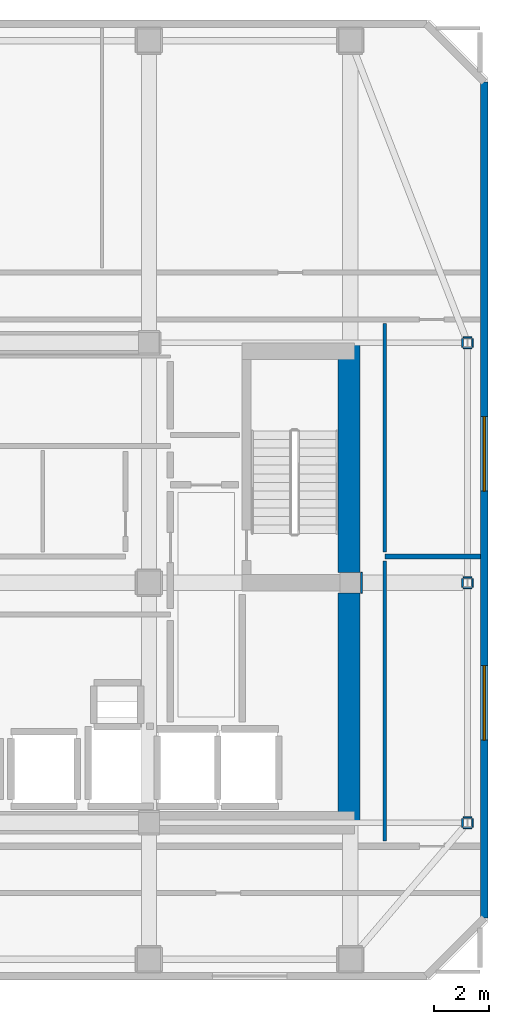
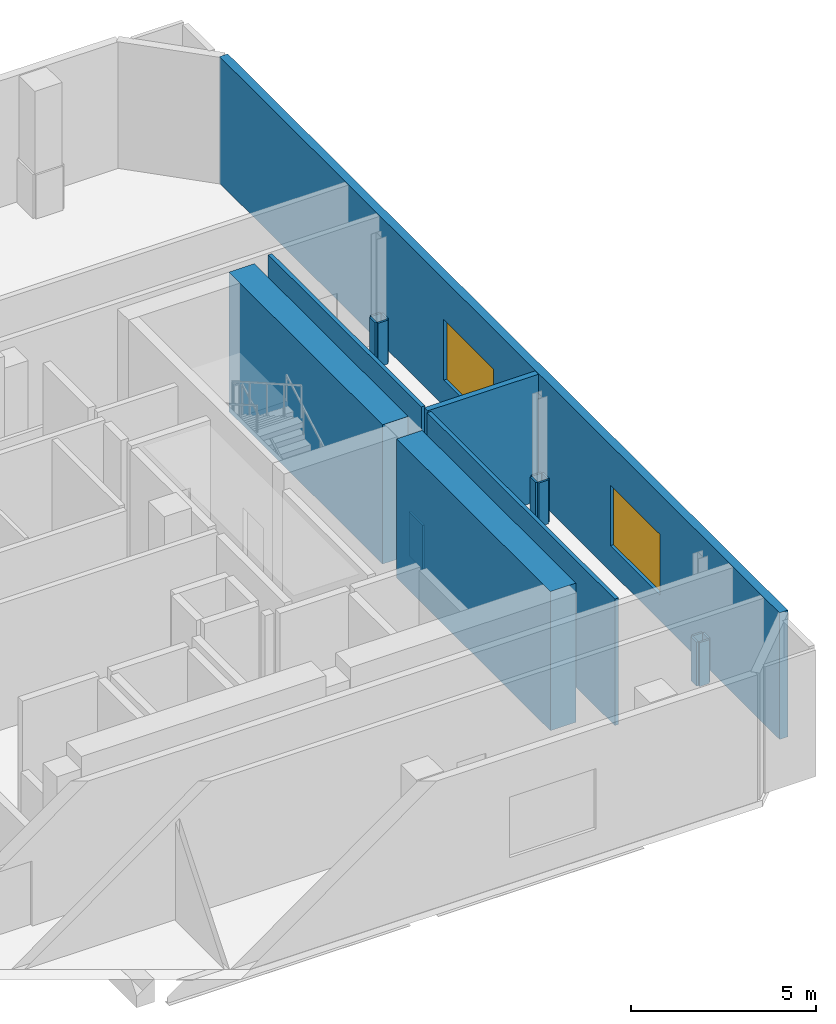
# One storey, part 7 of 9: 19 walls, 2 windows, 2 openings.
"""IFC4 building model written with IfcOpenShell, lengths in metres."""

import ifcopenshell
import ifcopenshell.guid

model = None  # the IFC model being written
_history = None  # IfcOwnerHistory: only IFC2X3 demands one
_inside = {}  # id of a spatial element -> (the spatial element, [elements in it])
_under = {}  # id of a project, library or spatial element -> (it, [spatial elements below it])
_declared = {}  # id of a project -> (the project, [libraries it declares])
_typed = {}  # id of a type object -> (the type object, [elements of that type])
_made_of = {}  # id of a material, layer set ... -> (it, [elements and type objects made of it])


def new_model(schema):
    """Start an empty IFC model of exactly this schema.

    Asked for "IFC4X3", IfcOpenShell would pick the latest addendum, in which some entities
    have other attributes; the version numbers below select the first issue.
    IFC2X3 requires an IfcOwnerHistory on every rooted entity: one is made here for all.
    """
    global model, _history
    if schema == "IFC4X3":
        model = ifcopenshell.file(schema_version=(4, 3, 0, 0))
    else:
        model = ifcopenshell.file(schema=schema)
    _inside.clear()
    _under.clear()
    _declared.clear()
    _typed.clear()
    _made_of.clear()
    _history = None
    if model.schema == "IFC2X3":
        org = make("IfcOrganization", Name="unknown")
        user = make(
            "IfcPersonAndOrganization",
            ThePerson=make("IfcPerson", FamilyName="unknown"),
            TheOrganization=org,
        )
        app = make(
            "IfcApplication",
            ApplicationDeveloper=org,
            Version="unknown",
            ApplicationFullName="unknown",
            ApplicationIdentifier="unknown",
        )
        _history = make(
            "IfcOwnerHistory",
            OwningUser=user,
            OwningApplication=app,
            ChangeAction="ADDED",
            CreationDate=0,
        )
    return model


def make(cls, **values):
    """One entity of the class cls with the attributes given. An attribute that is None is left unset."""
    return model.create_entity(
        cls, **{name: value for name, value in values.items() if value is not None}
    )


def rooted(cls, **values):
    """An entity with a GlobalId (a new one), such as an element, a storey or a relation."""
    return make(cls, GlobalId=ifcopenshell.guid.new(), OwnerHistory=_history, **values)


def si_unit(unit_type, name, prefix=None):
    """IfcSIUnit, for example si_unit("LENGTHUNIT", "METRE", prefix="MILLI")."""
    return make("IfcSIUnit", UnitType=unit_type, Prefix=prefix, Name=name)


def assignment(units):
    """IfcUnitAssignment: the units of a project."""
    return None if units is None else make("IfcUnitAssignment", Units=units)


def point(xyz):
    """IfcCartesianPoint."""
    return None if xyz is None else make("IfcCartesianPoint", Coordinates=xyz)


def direction(xyz):
    """IfcDirection."""
    return None if xyz is None else make("IfcDirection", DirectionRatios=xyz)


def frame(location, z_axis=None, x_axis=None):
    """IfcAxis2Placement3D, a coordinate frame: its origin and axes. An axis left out is left unset."""
    return make(
        "IfcAxis2Placement3D",
        Location=point(location),
        Axis=direction(z_axis),
        RefDirection=direction(x_axis),
    )


def frame_2d(location, x_axis=None):
    """IfcAxis2Placement2D, a coordinate frame in the plane: its origin and x axis."""
    return make(
        "IfcAxis2Placement2D", Location=point(location), RefDirection=direction(x_axis)
    )


def origin():
    """The frame at (0, 0, 0) with its axes left unset."""
    return frame((0.0, 0.0, 0.0))


def place(relative_to, where):
    """IfcLocalPlacement: puts the frame where relative to a parent placement (None: the world)."""
    return make(
        "IfcLocalPlacement", PlacementRelTo=relative_to, RelativePlacement=where
    )


def context(
    kind, dimensions, precision=None, world=None, true_north=None, identifier=None
):
    """IfcGeometricRepresentationContext, for example the 3D "Model" context."""
    return make(
        "IfcGeometricRepresentationContext",
        ContextIdentifier=identifier,
        ContextType=kind,
        CoordinateSpaceDimension=dimensions,
        Precision=precision,
        WorldCoordinateSystem=world,
        TrueNorth=true_north,
    )


def subcontext(parent, identifier, kind, view, scale=None):
    """IfcGeometricRepresentationSubContext, for example "Body" below "Model"."""
    return make(
        "IfcGeometricRepresentationSubContext",
        ContextIdentifier=identifier,
        ContextType=kind,
        ParentContext=parent,
        TargetScale=scale,
        TargetView=view,
    )


def project(units=None, contexts=None):
    """IfcProject with its units and contexts."""
    return rooted(
        "IfcProject",
        Name="project",
        RepresentationContexts=contexts,
        UnitsInContext=assignment(units),
    )


def spatial(cls, under=None, at=None, **own):
    """A site, building, storey or space (cls), placed at a placement, below another one or the project."""
    s = rooted(cls, ObjectPlacement=at, **own)
    if under is not None:
        _under.setdefault(under.id(), (under, []))[1].append(s)
    return s


def profile(cls, at=None, kind="AREA", **sizes):
    """A parametric profile (cls). Its sizes go by their IFC names, for example OverallWidth=200.0."""
    return make(cls, ProfileType=kind, Position=at, **sizes)


def rectangle(**sizes):
    """IfcRectangleProfileDef."""
    return profile("IfcRectangleProfileDef", **sizes)


def extrude(swept, where, along, depth):
    """IfcExtrudedAreaSolid: the profile swept, set in the frame where, extruded along a direction by depth."""
    return make(
        "IfcExtrudedAreaSolid",
        SweptArea=swept,
        Position=where,
        ExtrudedDirection=direction(along),
        Depth=depth,
    )


def shape(context_of_items, identifier, shape_type, items):
    """IfcShapeRepresentation: the items that make up one representation, for example the "Body"."""
    return make(
        "IfcShapeRepresentation",
        ContextOfItems=context_of_items,
        RepresentationIdentifier=identifier,
        RepresentationType=shape_type,
        Items=items,
    )


def material(Name=None, Category=None):
    """IfcMaterial."""
    return make("IfcMaterial", Name=Name, Category=Category)


def layer(
    of_material, thickness, ventilated=None, Name=None, Category=None, Priority=None
):
    """IfcMaterialLayer: one layer of a wall or slab, of a material (None: an air gap)."""
    return make(
        "IfcMaterialLayer",
        Material=of_material,
        LayerThickness=thickness,
        IsVentilated=ventilated,
        Name=Name,
        Category=Category,
        Priority=Priority,
    )


def layer_set(layers, Name=None):
    """IfcMaterialLayerSet."""
    return make("IfcMaterialLayerSet", MaterialLayers=layers, LayerSetName=Name)


def made_of(thing, what):
    """Note that an element or type object is made of a material, layer set ...; save() writes the relation."""
    if what is not None:
        _made_of.setdefault(what.id(), (what, []))[1].append(thing)
    return thing


def type_object(cls, material=None, **own):
    """A type object (cls), such as IfcWallType, which elements share."""
    return made_of(rooted(cls, **own), material)


def element(
    cls,
    number,
    at=None,
    inside=None,
    cuts=None,
    type_object=None,
    material=None,
    context=None,
    identifier="Body",
    shape_type=None,
    held_by="IfcProductDefinitionShape",
    body=None,
    shapes=None,
    **own,
):
    """One element of the class cls, such as IfcWall. Its Tag is "e" and its number.

    at: its placement. inside: the storey or other place that contains it. cuts: it is an
    opening in that element (IfcRelVoidsElement). A single representation is given by context,
    identifier, shape_type and body (its items); several are given by shapes. held_by: the class
    of the entity that holds the representations. save() writes the other relations.
    """
    e = rooted(cls, Tag="e%d" % number, ObjectPlacement=at, **own)
    if body is not None:
        shapes = [shape(context, identifier, shape_type, body)]
    if shapes is not None:
        e.Representation = make(held_by, Representations=shapes)
    if inside is not None:
        _inside.setdefault(inside.id(), (inside, []))[1].append(e)
    if cuts is not None:
        rooted(
            "IfcRelVoidsElement", RelatingBuildingElement=cuts, RelatedOpeningElement=e
        )
    if type_object is not None:
        _typed.setdefault(type_object.id(), (type_object, []))[1].append(e)
    return made_of(e, material)


def fill(opening, filler):
    """IfcRelFillsElement: the door or window that sits in an opening."""
    return rooted(
        "IfcRelFillsElement",
        RelatingOpeningElement=opening,
        RelatedBuildingElement=filler,
    )


def aggregate(whole, parts):
    """IfcRelAggregates: a whole, such as a stair, and the parts it consists of."""
    return rooted("IfcRelAggregates", RelatingObject=whole, RelatedObjects=parts)


def save(model, path):
    """Write the relations noted so far, then the file.

    IfcRelAggregates (storeys below a building ...), IfcRelContainedInSpatialStructure (elements
    in a storey), IfcRelDefinesByType, IfcRelAssociatesMaterial and IfcRelDeclares: one each for
    every whole, place, type object, material and project.
    """
    for whole, parts in _under.values():
        aggregate(whole, parts)
    for where, things in _inside.values():
        rooted(
            "IfcRelContainedInSpatialStructure",
            RelatedElements=things,
            RelatingStructure=where,
        )
    for kind, things in _typed.values():
        rooted("IfcRelDefinesByType", RelatedObjects=things, RelatingType=kind)
    for what, things in _made_of.values():
        rooted("IfcRelAssociatesMaterial", RelatedObjects=things, RelatingMaterial=what)
    for by, libraries in _declared.values():
        rooted("IfcRelDeclares", RelatingContext=by, RelatedDefinitions=libraries)
    model.write(path)


model = new_model("IFC4")

# Units and contexts
model_context = context("Model", 3, precision=1e-05, world=origin(), true_north=direction((0.0, 1.0)))
body_context = subcontext(model_context, "Body", "Model", "MODEL_VIEW")
ifc_project = project(units=[si_unit("LENGTHUNIT", "METRE"), si_unit("AREAUNIT", "SQUARE_METRE"), si_unit("VOLUMEUNIT", "CUBIC_METRE"), si_unit("PLANEANGLEUNIT", "RADIAN"), si_unit("MASSUNIT", "GRAM", prefix="KILO")], contexts=[model_context])

# Site, building, storey
site_placement = place(None, origin())
site = spatial("IfcSite", under=ifc_project, at=site_placement, CompositionType="ELEMENT")
building_placement = place(site_placement, origin())
building = spatial("IfcBuilding", under=site, at=building_placement, Name="Solanera Arch Residences", CompositionType="ELEMENT")
storey_placement = place(building_placement, frame((0.0, 0.0, 273.47998046875)))
storey = spatial("IfcBuildingStorey", under=building, at=storey_placement, Name="L79", CompositionType="ELEMENT", Elevation=273.47998046875)

# Walls
ifc_material_1 = material(Name="Fire-Rated Gypsum Stud Partition", Category="gypsum")
ifc_layer_1 = layer(ifc_material_1, 0.06005859375)
ifc_layer_set_1 = layer_set([ifc_layer_1], Name="Fire-Rated Gypsum Stud Partition")
wall_type_1 = type_object("IfcWallType", Name="Column Acoustic Furring Wall 60", PredefinedType="PARTITIONING", material=ifc_layer_set_1)
wall_1_placement = place(storey_placement, frame((36.906982421875, 30.324951171875, 0.0), z_axis=(0.0, 0.0, 1.0), x_axis=(0.0, 1.0, 0.0)))
element("IfcWall", 1, at=wall_1_placement, inside=storey, type_object=wall_type_1, Name="L79 Column Furring 6E", PredefinedType="PARTITIONING", context=body_context, shape_type="SweptSolid", body=[
    extrude(rectangle(XDim=0.75, YDim=0.06005859375, at=frame_2d((0.375, 0.0))), origin(), (0.0, 0.0, 1.0), 1.449951171875),
])
for number, where, z_axis, x_axis, name in (
    (2, (40.596923828125, 21.81396484375, 0.0), (0.0, 0.0, 1.0), (1.0, 0.0, 0.0), "L79 Column Furring 18S"),
    (3, (40.596923828125, 22.18603515625, 0.0), (0.0, 0.0, 1.0), (1.0, 0.0, 0.0), "L79 Column Furring 18N"),
):
    element("IfcWall", number, at=place(storey_placement, frame(where, z_axis=z_axis, x_axis=x_axis)), inside=storey, type_object=wall_type_1, Name=name, PredefinedType="PARTITIONING", context=body_context, shape_type="SweptSolid", body=[
        extrude(rectangle(XDim=0.30615234375, YDim=0.06005859375, at=frame_2d((0.153076171875, 0.0))), origin(), (0.0, 0.0, 1.0), 1.449951171875),
    ])
for number, where, z_axis, x_axis, name in (
    (4, (40.56591796875, 21.845947265625, 0.0), (0.0, 0.0, 1.0), (0.0, 1.0, 0.0), "L79 Column Furring 18W"),
    (5, (40.93408203125, 21.845947265625, 0.0), (0.0, 0.0, 1.0), (0.0, 1.0, 0.0), "L79 Column Furring 18E"),
):
    element("IfcWall", number, at=place(storey_placement, frame(where, z_axis=z_axis, x_axis=x_axis)), inside=storey, type_object=wall_type_1, Name=name, PredefinedType="PARTITIONING", context=body_context, shape_type="SweptSolid", body=[
        extrude(rectangle(XDim=0.30810546875, YDim=0.06005859375, at=frame_2d((0.154052734375, 0.0))), origin(), (0.0, 0.0, 1.0), 1.449951171875),
    ])
for number, where, z_axis, x_axis, name in (
    (6, (40.596923828125, 30.513916015625, 0.0), (0.0, 0.0, 1.0), (1.0, 0.0, 0.0), "L79 Column Furring 20S"),
    (7, (40.596923828125, 30.885986328125, 0.0), (0.0, 0.0, 1.0), (1.0, 0.0, 0.0), "L79 Column Furring 20N"),
):
    element("IfcWall", number, at=place(storey_placement, frame(where, z_axis=z_axis, x_axis=x_axis)), inside=storey, type_object=wall_type_1, Name=name, PredefinedType="PARTITIONING", context=body_context, shape_type="SweptSolid", body=[
        extrude(rectangle(XDim=0.30615234375, YDim=0.06005859375, at=frame_2d((0.153076171875, 0.0))), origin(), (0.0, 0.0, 1.0), 1.449951171875),
    ])
for number, where, z_axis, x_axis, name in (
    (8, (40.56591796875, 30.5458984375, 0.0), (0.0, 0.0, 1.0), (0.0, 1.0, 0.0), "L79 Column Furring 20W"),
    (9, (40.93408203125, 30.5458984375, 0.0), (0.0, 0.0, 1.0), (0.0, 1.0, 0.0), "L79 Column Furring 20E"),
):
    element("IfcWall", number, at=place(storey_placement, frame(where, z_axis=z_axis, x_axis=x_axis)), inside=storey, type_object=wall_type_1, Name=name, PredefinedType="PARTITIONING", context=body_context, shape_type="SweptSolid", body=[
        extrude(rectangle(XDim=0.30810546875, YDim=0.06005859375, at=frame_2d((0.154052734375, 0.0))), origin(), (0.0, 0.0, 1.0), 1.449951171875),
    ])
for number, where, z_axis, x_axis, name in (
    (10, (40.596923828125, 39.214111328125, 0.0), (0.0, 0.0, 1.0), (1.0, 0.0, 0.0), "L79 Column Furring 22S"),
    (11, (40.596923828125, 39.5859375, 0.0), (0.0, 0.0, 1.0), (1.0, 0.0, 0.0), "L79 Column Furring 22N"),
):
    element("IfcWall", number, at=place(storey_placement, frame(where, z_axis=z_axis, x_axis=x_axis)), inside=storey, type_object=wall_type_1, Name=name, PredefinedType="PARTITIONING", context=body_context, shape_type="SweptSolid", body=[
        extrude(rectangle(XDim=0.30615234375, YDim=0.06005859375, at=frame_2d((0.153076171875, 0.0))), origin(), (0.0, 0.0, 1.0), 1.449951171875),
    ])
for number, where, z_axis, x_axis, name in (
    (12, (40.56591796875, 39.24609375, 0.0), (0.0, 0.0, 1.0), (0.0, 1.0, 0.0), "L79 Column Furring 22W"),
    (13, (40.93408203125, 39.24609375, 0.0), (0.0, 0.0, 1.0), (0.0, 1.0, 0.0), "L79 Column Furring 22E"),
):
    element("IfcWall", number, at=place(storey_placement, frame(where, z_axis=z_axis, x_axis=x_axis)), inside=storey, type_object=wall_type_1, Name=name, PredefinedType="PARTITIONING", context=body_context, shape_type="SweptSolid", body=[
        extrude(rectangle(XDim=0.307861328125, YDim=0.06005859375, at=frame_2d((0.15380859375, 0.0))), origin(), (0.0, 0.0, 1.0), 1.449951171875),
    ])
ifc_material_2 = material(Name="Concrete C40/50 (f'c = 45 MPa)", Category="concrete")
ifc_layer_2 = layer(ifc_material_2, 0.800048828125)
ifc_layer_set_2 = layer_set([ifc_layer_2], Name="Concrete C40/50 (f'c = 45 MPa)")
wall_type_2 = type_object("IfcWallType", Name="Core Shear Wall CW-800", PredefinedType="SHEAR", material=ifc_layer_set_2)
wall_2_placement = place(storey_placement, frame((36.4599609375, 22.0, 0.0), z_axis=(0.0, 0.0, 1.0), x_axis=(0.0, 1.0, 0.0)))
element("IfcWall", 14, at=wall_2_placement, inside=storey, type_object=wall_type_2, Name="L79 East Core South Shear Wall", PredefinedType="SHEAR", context=body_context, shape_type="SweptSolid", body=[
    extrude(rectangle(XDim=8.320068359375, YDim=0.800048828125, at=frame_2d((4.16015625, 0.0))), origin(), (0.0, 0.0, 1.0), 4.60009765625),
])
wall_3_placement = place(storey_placement, frame((36.4599609375, 31.080078125, 0.0), z_axis=(0.0, 0.0, 1.0), x_axis=(0.0, 1.0, 0.0)))
element("IfcWall", 15, at=wall_3_placement, inside=storey, type_object=wall_type_2, Name="L79 East Core North Shear Wall", PredefinedType="SHEAR", context=body_context, shape_type="SweptSolid", body=[
    extrude(rectangle(XDim=8.31982421875, YDim=0.800048828125, at=frame_2d((4.159912109375, 0.0))), origin(), (0.0, 0.0, 1.0), 4.60009765625),
])
ifc_material_3 = material(Name="Autoclaved Aerated Concrete Blockwork", Category="masonry")
ifc_layer_3 = layer(ifc_material_3, 0.179931640625)
ifc_layer_set_3 = layer_set([ifc_layer_3], Name="Autoclaved Aerated Concrete Blockwork")
wall_type_3 = type_object("IfcWallType", Name="Corridor Fire Partition 180", PredefinedType="PARTITIONING", material=ifc_layer_set_3)
wall_4_placement = place(storey_placement, frame((37.75, 31.64990234375, 0.0), z_axis=(0.0, 0.0, 1.0), x_axis=(1.0, 0.0, 0.0)))
element("IfcWall", 16, at=wall_4_placement, inside=storey, type_object=wall_type_3, Name="L79 Interior Partition H9", PredefinedType="PARTITIONING", context=body_context, shape_type="SweptSolid", body=[
    extrude(rectangle(XDim=3.462890625, YDim=0.179931640625, at=frame_2d((1.7314453125, 0.0))), origin(), (0.0, 0.0, 1.0), 4.179931640625),
])

# Wall, openings, windows
ifc_material_4 = material(Name="Precast Concrete C35/45", Category="concrete")
ifc_layer_4 = layer(ifc_material_4, 0.260009765625)
ifc_layer_set_4 = layer_set([ifc_layer_4], Name="Precast Concrete C35/45")
wall_type_4 = type_object("IfcWallType", Name="Exterior Wall Precast Masonry-Frame 260", PredefinedType="STANDARD", material=ifc_layer_set_4)
wall_5_placement = place(storey_placement, frame((41.35498046875, 48.85498046875, 0.0), z_axis=(0.0, 0.0, 1.0), x_axis=(0.0, -1.0, 0.0)))
wall_5 = element("IfcWall", 17, at=wall_5_placement, inside=storey, type_object=wall_type_4, Name="L79 Tower Exterior Precast Masonry-Frame Wall E", PredefinedType="STANDARD", context=body_context, shape_type="SweptSolid", body=[
    extrude(rectangle(XDim=30.31005859375, YDim=0.260009765625, at=frame_2d((15.155029296875, 0.0))), origin(), (0.0, 0.0, 1.0), 4.179931640625),
])
opening_1_placement = place(wall_5_placement, frame((21.155029296875, 0.0, 0.85009765625)))
opening_1 = element("IfcOpeningElement", 18, at=opening_1_placement, cuts=wall_5, Name="Opening W-09", PredefinedType="OPENING", context=body_context, shape_type="SweptSolid", body=[
    extrude(rectangle(XDim=2.699951171875, YDim=2.0, at=frame_2d((1.35009765625, 1.0))), frame((0.0, 0.139892578125, 0.0), z_axis=(0.0, -1.0, 0.0), x_axis=(1.0, 0.0, 0.0)), (0.0, 0.0, 1.0), 0.28),
])
opening_2_placement = place(wall_5_placement, frame((12.135009765625, 0.0, 0.85009765625)))
opening_2 = element("IfcOpeningElement", 19, at=opening_2_placement, cuts=wall_5, Name="Opening W-09", PredefinedType="OPENING", context=body_context, shape_type="SweptSolid", body=[
    extrude(rectangle(XDim=2.699951171875, YDim=2.0, at=frame_2d((1.35009765625, 1.0))), frame((0.0, 0.139892578125, 0.0), z_axis=(0.0, -1.0, 0.0), x_axis=(1.0, 0.0, 0.0)), (0.0, 0.0, 1.0), 0.28),
])
ifc_material_5 = material(Name="Double Glazed Low-E Laminated Glass", Category="glass")
window_type = type_object("IfcWindowType", Name="Punched Window W-09", PartitioningType="TRIPLE_PANEL_VERTICAL", PredefinedType="WINDOW", material=ifc_material_5)
window_1_placement = place(opening_1_placement, origin())
window_1 = element("IfcWindow", 20, at=window_1_placement, inside=storey, type_object=window_type, Name="L79 DIN-E1 Punched Window", OverallHeight=2.0, OverallWidth=2.699951171875, PartitioningType="SINGLE_PANEL", PredefinedType="WINDOW", context=body_context, shape_type="SweptSolid", body=[
    extrude(rectangle(XDim=2.699951171875, YDim=2.0, at=frame_2d((1.35009765625, 1.0))), frame((0.0, 0.030029296875, 0.0), z_axis=(0.0, -1.0, 0.0), x_axis=(1.0, 0.0, 0.0)), (0.0, 0.0, 1.0), 0.06005859375),
])
fill(opening_1, window_1)
window_2_placement = place(opening_2_placement, origin())
window_2 = element("IfcWindow", 21, at=window_2_placement, inside=storey, type_object=window_type, Name="L79 SAL-E2 Punched Window", OverallHeight=2.0, OverallWidth=2.699951171875, PartitioningType="SINGLE_PANEL", PredefinedType="WINDOW", context=body_context, shape_type="SweptSolid", body=[
    extrude(rectangle(XDim=2.699951171875, YDim=2.0, at=frame_2d((1.35009765625, 1.0))), frame((0.0, 0.030029296875, 0.0), z_axis=(0.0, -1.0, 0.0), x_axis=(1.0, 0.0, 0.0)), (0.0, 0.0, 1.0), 0.06005859375),
])
fill(opening_2, window_2)

# Walls
ifc_material_6 = material(Name="Fire-Rated Gypsum Stud Partition", Category="gypsum")
ifc_layer_5 = layer(ifc_material_6, 0.1201171875)
ifc_layer_set_5 = layer_set([ifc_layer_5], Name="Fire-Rated Gypsum Stud Partition")
wall_type_5 = type_object("IfcWallType", Name="Unit Drywall Partition 120", PredefinedType="PARTITIONING", material=ifc_layer_set_5)
wall_6_placement = place(storey_placement, frame((37.75, 21.337890625, 0.0), z_axis=(0.0, 0.0, 1.0), x_axis=(0.0, 1.0, 0.0)))
element("IfcWall", 22, at=wall_6_placement, inside=storey, type_object=wall_type_5, Name="L79 Interior Partition V16 1", PredefinedType="PARTITIONING", context=body_context, shape_type="SweptSolid", body=[
    extrude(rectangle(XDim=10.154052734375, YDim=0.1201171875, at=frame_2d((5.0771484375, 0.0))), origin(), (0.0, 0.0, 1.0), 4.179931640625),
])
wall_7_placement = place(storey_placement, frame((37.75, 31.80810546875, 0.0), z_axis=(0.0, 0.0, 1.0), x_axis=(0.0, 1.0, 0.0)))
element("IfcWall", 23, at=wall_7_placement, inside=storey, type_object=wall_type_5, Name="L79 Interior Partition V16 2", PredefinedType="PARTITIONING", context=body_context, shape_type="SweptSolid", body=[
    extrude(rectangle(XDim=8.283935546875, YDim=0.1201171875, at=frame_2d((4.14208984375, 0.0))), origin(), (0.0, 0.0, 1.0), 4.179931640625),
])

save(model, "model.ifc")
